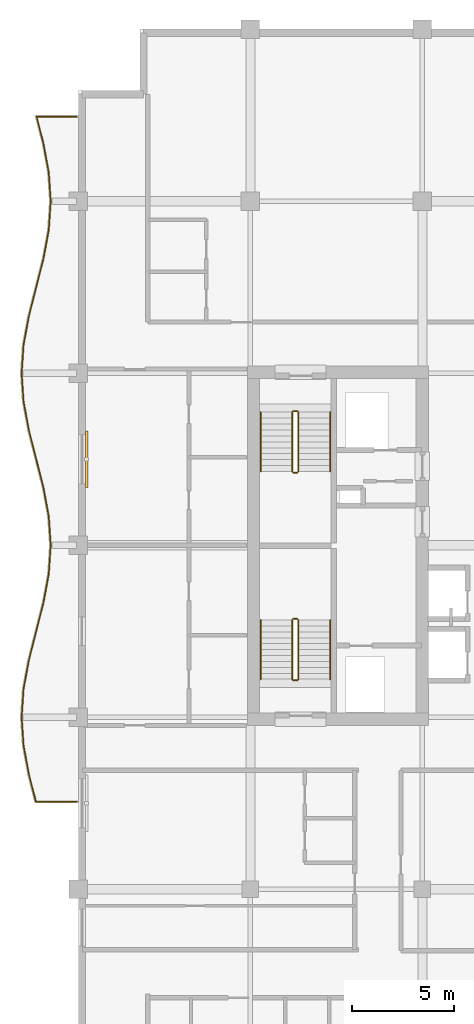
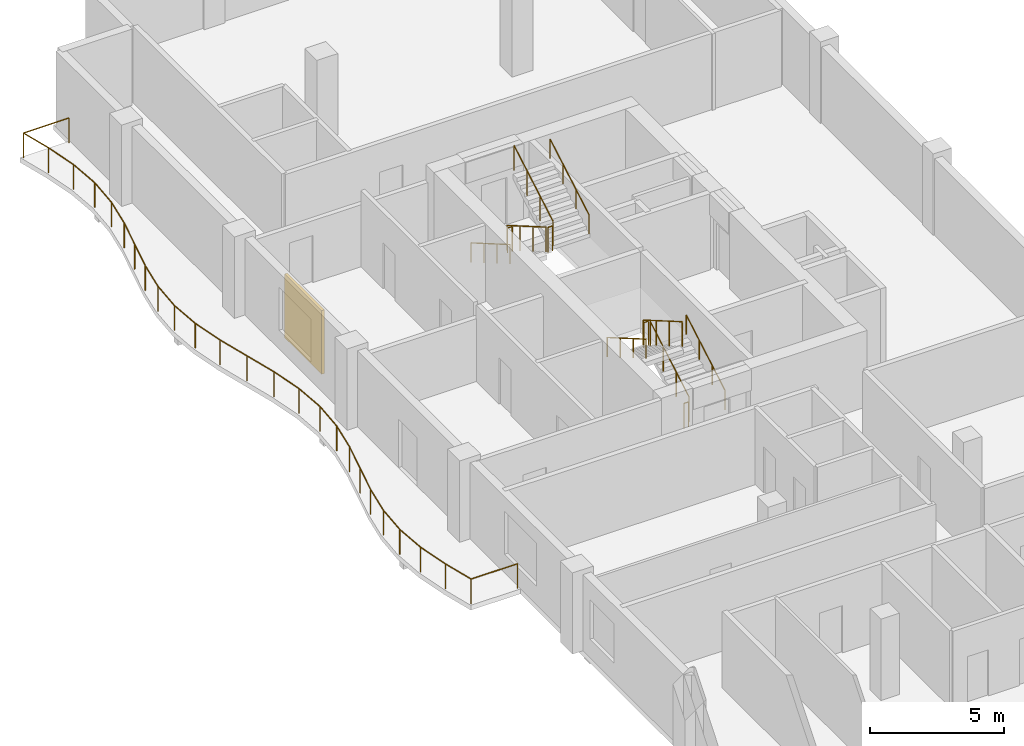
# One storey, part 15 of 16: 13 railings, 1 shading device.
"""IFC4 building model written with IfcOpenShell, lengths in metres."""

from ifc_helpers import new_model, si_unit, direction, frame, origin, origin_2d, place, context, subcontext, project, spatial, rectangle, circle, extrude, material, layer, layer_set, type_object, element, save


model = new_model("IFC4")

# Units and contexts
model_context = context("Model", 3, precision=1e-05, world=origin(), true_north=direction((0.0, 1.0)))
body_context = subcontext(model_context, "Body", "Model", "MODEL_VIEW")
ifc_project = project(units=[si_unit("LENGTHUNIT", "METRE"), si_unit("AREAUNIT", "SQUARE_METRE"), si_unit("VOLUMEUNIT", "CUBIC_METRE"), si_unit("PLANEANGLEUNIT", "RADIAN"), si_unit("MASSUNIT", "GRAM", prefix="KILO")], contexts=[model_context])

# Site, building, storey
site_placement = place(None, origin())
site = spatial("IfcSite", under=ifc_project, at=site_placement, CompositionType="ELEMENT")
building_placement = place(site_placement, origin())
building = spatial("IfcBuilding", under=site, at=building_placement, Name="Koriwani Terraces Tower", CompositionType="ELEMENT")
storey_placement = place(building_placement, frame((0.0, 0.0, 245.300048828125)))
storey = spatial("IfcBuildingStorey", under=building, at=storey_placement, Name="L60", CompositionType="ELEMENT", Elevation=245.300048828125)

# Railings
ifc_material_1 = material(Name="Steel ASTM A572 Grade 50", Category="steel")
railing_type_1 = type_object("IfcRailingType", Name="GUARD_BALUSTRADE_1150", PredefinedType="BALUSTRADE", material=ifc_material_1)
railing_1_placement = place(storey_placement, frame((8.320068359375, 37.8798828125, 0.0)))
element("IfcRailing", 1, at=railing_1_placement, inside=storey, type_object=railing_type_1, Name="L60 Balcony Perimeter Safety Balustrade (W)", PredefinedType="BALUSTRADE", context=body_context, shape_type="SweptSolid", body=[
    extrude(circle(Radius=0.02392578125, at=origin_2d()), frame((0.0, 0.0, 1.1259765625), z_axis=(-1.0, 0.0, 0.0), x_axis=(0.0, -1.0, 0.0)), (0.0, 0.0, 1.0), 1.997802734375),
    extrude(circle(Radius=0.02392578125, at=origin_2d()), frame((-1.997802734375, 0.0, 1.1259765625), z_axis=(-0.245781795918, 0.969325182173, 0.0), x_axis=(-0.969325182173, -0.245781795918, 0.0)), (0.0, 0.0, 1.0), 1.379638671875),
    extrude(circle(Radius=0.02392578125, at=origin_2d()), frame((-2.3369140625, 1.33740234375, 1.1259765625), z_axis=(-0.182508895706, 0.98320420208, 0.0), x_axis=(-0.98320420208, -0.182508895706, 0.0)), (0.0, 0.0, 1.0), 1.41650390625),
    extrude(circle(Radius=0.02392578125, at=origin_2d()), frame((-2.595458984375, 2.730224609375, 1.1259765625), z_axis=(-0.067821696155, 0.997697457915, 0.0), x_axis=(-0.997697457915, -0.067821696155, 0.0)), (0.0, 0.0, 1.0), 1.39306640625),
    extrude(circle(Radius=0.02392578125, at=origin_2d()), frame((-2.68994140625, 4.1201171875, 1.1259765625), z_axis=(0.067821696155, 0.997697457915, 0.0), x_axis=(-0.997697457915, 0.067821696155, 0.0)), (0.0, 0.0, 1.0), 1.39306640625),
    extrude(circle(Radius=0.02392578125, at=origin_2d()), frame((-2.595458984375, 5.510009765625, 1.1259765625), z_axis=(0.182508895706, 0.98320420208, 0.0), x_axis=(-0.98320420208, 0.182508895706, 0.0)), (0.0, 0.0, 1.0), 1.41650390625),
    extrude(circle(Radius=0.02392578125, at=origin_2d()), frame((-2.3369140625, 6.90283203125, 1.1259765625), z_axis=(0.245755617389, 0.969331819617, 0.0), x_axis=(-0.969331819617, 0.245755617389, 0.0)), (0.0, 0.0, 1.0), 2.888916015625),
    extrude(circle(Radius=0.02392578125, at=origin_2d()), frame((-1.626953125, 9.703125, 1.1259765625), z_axis=(0.182382502828, 0.983227655562, 0.0), x_axis=(-0.983227655562, 0.182382502828, 0.0)), (0.0, 0.0, 1.0), 1.430908203125),
    extrude(circle(Radius=0.02392578125, at=origin_2d()), frame((-1.365966796875, 11.110107421875, 1.1259765625), z_axis=(0.067722949425, 0.997704165633, 0.0), x_axis=(-0.997704165633, 0.067722949425, 0.0)), (0.0, 0.0, 1.0), 1.4130859375),
    extrude(circle(Radius=0.02392578125, at=origin_2d()), frame((-1.270263671875, 12.52001953125, 1.1259765625), z_axis=(-0.067711278299, 0.997704957786, 0.0), x_axis=(-0.997704957786, -0.067711278299, 0.0)), (0.0, 0.0, 1.0), 1.413330078125),
    extrude(circle(Radius=0.02392578125, at=origin_2d()), frame((-1.365966796875, 13.93017578125, 1.1259765625), z_axis=(-0.182382502828, 0.983227655562, 0.0), x_axis=(-0.983227655562, -0.182382502828, 0.0)), (0.0, 0.0, 1.0), 1.430908203125),
    extrude(circle(Radius=0.02392578125, at=origin_2d()), frame((-1.626953125, 15.337158203125, 1.1259765625), z_axis=(-0.245775750895, 0.969326714928, 0.0), x_axis=(-0.969326714928, -0.245775750895, 0.0)), (0.0, 0.0, 1.0), 2.888671875),
    extrude(circle(Radius=0.02392578125, at=origin_2d()), frame((-2.3369140625, 18.13720703125, 1.1259765625), z_axis=(-0.182508895706, 0.98320420208, 0.0), x_axis=(-0.98320420208, -0.182508895706, 0.0)), (0.0, 0.0, 1.0), 1.41650390625),
    extrude(circle(Radius=0.02392578125, at=origin_2d()), frame((-2.595458984375, 19.530029296875, 1.1259765625), z_axis=(-0.067809839848, 0.997698263815, 0.0), x_axis=(-0.997698263815, -0.067809839848, 0.0)), (0.0, 0.0, 1.0), 1.393310546875),
    extrude(circle(Radius=0.02392578125, at=origin_2d()), frame((-2.68994140625, 20.920166015625, 1.1259765625), z_axis=(0.067821696155, 0.997697457915, 0.0), x_axis=(-0.997697457915, 0.067821696155, 0.0)), (0.0, 0.0, 1.0), 1.39306640625),
    extrude(circle(Radius=0.02392578125, at=origin_2d()), frame((-2.595458984375, 22.31005859375, 1.1259765625), z_axis=(0.182508895706, 0.98320420208, 0.0), x_axis=(-0.98320420208, 0.182508895706, 0.0)), (0.0, 0.0, 1.0), 1.41650390625),
    extrude(circle(Radius=0.02392578125, at=origin_2d()), frame((-2.3369140625, 23.702880859375, 1.1259765625), z_axis=(0.245775750895, 0.969326714928, 0.0), x_axis=(-0.969326714928, 0.245775750895, 0.0)), (0.0, 0.0, 1.0), 2.888671875),
    extrude(circle(Radius=0.02392578125, at=origin_2d()), frame((-1.626953125, 26.5029296875, 1.1259765625), z_axis=(0.182351913416, 0.983233329212, 0.0), x_axis=(-0.983233329212, 0.182351913416, 0.0)), (0.0, 0.0, 1.0), 1.43115234375),
    extrude(circle(Radius=0.02392578125, at=origin_2d()), frame((-1.365966796875, 27.91015625, 1.1259765625), z_axis=(0.067722949425, 0.997704165633, 0.0), x_axis=(-0.997704165633, 0.067722949425, 0.0)), (0.0, 0.0, 1.0), 1.4130859375),
    extrude(circle(Radius=0.02392578125, at=origin_2d()), frame((-1.270263671875, 29.320068359375, 1.1259765625), z_axis=(-0.067711278299, 0.997704957786, 0.0), x_axis=(-0.997704957786, -0.067711278299, 0.0)), (0.0, 0.0, 1.0), 1.413330078125),
    extrude(circle(Radius=0.02392578125, at=origin_2d()), frame((-1.365966796875, 30.730224609375, 1.1259765625), z_axis=(-0.182382502828, 0.983227655562, 0.0), x_axis=(-0.983227655562, -0.182382502828, 0.0)), (0.0, 0.0, 1.0), 1.430908203125),
    extrude(circle(Radius=0.02392578125, at=origin_2d()), frame((-1.626953125, 32.13720703125, 1.1259765625), z_axis=(-0.245739459323, 0.969335916043, 0.0), x_axis=(-0.969335916043, -0.245739459323, 0.0)), (0.0, 0.0, 1.0), 1.34423828125),
    extrude(circle(Radius=0.02392578125, at=origin_2d()), frame((-1.957275390625, 33.440185546875, 1.1259765625), z_axis=(1.0, 0.0, 0.0), x_axis=(0.0, 1.0, 0.0)), (0.0, 0.0, 1.0), 1.957275390625),
    extrude(circle(Radius=0.02099609375, at=origin_2d()), origin(), (0.0, 0.0, 1.0), 1.101806640625),
    extrude(circle(Radius=0.02099609375, at=origin_2d()), frame((-1.997802734375, 0.0, 0.0)), (0.0, 0.0, 1.0), 1.101806640625),
    extrude(circle(Radius=0.02099609375, at=origin_2d()), frame((-2.3369140625, 1.33740234375, 0.0)), (0.0, 0.0, 1.0), 1.101806640625),
    extrude(circle(Radius=0.02099609375, at=origin_2d()), frame((-2.595458984375, 2.730224609375, 0.0)), (0.0, 0.0, 1.0), 1.101806640625),
    extrude(circle(Radius=0.02099609375, at=origin_2d()), frame((-2.68994140625, 4.1201171875, 0.0)), (0.0, 0.0, 1.0), 1.101806640625),
    extrude(circle(Radius=0.02099609375, at=origin_2d()), frame((-2.595458984375, 5.510009765625, 0.0)), (0.0, 0.0, 1.0), 1.101806640625),
    extrude(circle(Radius=0.02099609375, at=origin_2d()), frame((-2.3369140625, 6.90283203125, 0.0)), (0.0, 0.0, 1.0), 1.101806640625),
    extrude(circle(Radius=0.02099609375, at=origin_2d()), frame((-1.98193359375, 8.302978515625, 0.0)), (0.0, 0.0, 1.0), 1.101806640625),
    extrude(circle(Radius=0.02099609375, at=origin_2d()), frame((-1.626953125, 9.703125, 0.0)), (0.0, 0.0, 1.0), 1.101806640625),
    extrude(circle(Radius=0.02099609375, at=origin_2d()), frame((-1.365966796875, 11.110107421875, 0.0)), (0.0, 0.0, 1.0), 1.101806640625),
    extrude(circle(Radius=0.02099609375, at=origin_2d()), frame((-1.270263671875, 12.52001953125, 0.0)), (0.0, 0.0, 1.0), 1.101806640625),
    extrude(circle(Radius=0.02099609375, at=origin_2d()), frame((-1.365966796875, 13.93017578125, 0.0)), (0.0, 0.0, 1.0), 1.101806640625),
    extrude(circle(Radius=0.02099609375, at=origin_2d()), frame((-1.626953125, 15.337158203125, 0.0)), (0.0, 0.0, 1.0), 1.101806640625),
    extrude(circle(Radius=0.02099609375, at=origin_2d()), frame((-1.98193359375, 16.7373046875, 0.0)), (0.0, 0.0, 1.0), 1.101806640625),
    extrude(circle(Radius=0.02099609375, at=origin_2d()), frame((-2.3369140625, 18.13720703125, 0.0)), (0.0, 0.0, 1.0), 1.101806640625),
    extrude(circle(Radius=0.02099609375, at=origin_2d()), frame((-2.595458984375, 19.530029296875, 0.0)), (0.0, 0.0, 1.0), 1.101806640625),
    extrude(circle(Radius=0.02099609375, at=origin_2d()), frame((-2.68994140625, 20.920166015625, 0.0)), (0.0, 0.0, 1.0), 1.101806640625),
    extrude(circle(Radius=0.02099609375, at=origin_2d()), frame((-2.595458984375, 22.31005859375, 0.0)), (0.0, 0.0, 1.0), 1.101806640625),
    extrude(circle(Radius=0.02099609375, at=origin_2d()), frame((-2.3369140625, 23.702880859375, 0.0)), (0.0, 0.0, 1.0), 1.101806640625),
    extrude(circle(Radius=0.02099609375, at=origin_2d()), frame((-1.98193359375, 25.10302734375, 0.0)), (0.0, 0.0, 1.0), 1.101806640625),
    extrude(circle(Radius=0.02099609375, at=origin_2d()), frame((-1.626953125, 26.5029296875, 0.0)), (0.0, 0.0, 1.0), 1.101806640625),
    extrude(circle(Radius=0.02099609375, at=origin_2d()), frame((-1.365966796875, 27.91015625, 0.0)), (0.0, 0.0, 1.0), 1.101806640625),
    extrude(circle(Radius=0.02099609375, at=origin_2d()), frame((-1.270263671875, 29.320068359375, 0.0)), (0.0, 0.0, 1.0), 1.101806640625),
    extrude(circle(Radius=0.02099609375, at=origin_2d()), frame((-1.365966796875, 30.730224609375, 0.0)), (0.0, 0.0, 1.0), 1.101806640625),
    extrude(circle(Radius=0.02099609375, at=origin_2d()), frame((-1.626953125, 32.13720703125, 0.0)), (0.0, 0.0, 1.0), 1.101806640625),
    extrude(circle(Radius=0.02099609375, at=origin_2d()), frame((-1.957275390625, 33.440185546875, 0.0)), (0.0, 0.0, 1.0), 1.101806640625),
    extrude(circle(Radius=0.02099609375, at=origin_2d()), frame((0.0, 33.440185546875, 0.0)), (0.0, 0.0, 1.0), 1.101806640625),
])
railing_type_2 = type_object("IfcRailingType", Name="GUARD_STAIR_WELL_1120", PredefinedType="GUARDRAIL", material=ifc_material_1)
railing_2_placement = place(storey_placement, frame((19.14990234375, 43.85009765625, 0.168212890625)))
element("IfcRailing", 2, at=railing_2_placement, inside=storey, type_object=railing_type_2, Name="L60 ST-W1 stair guard 1", PredefinedType="GUARDRAIL", context=body_context, shape_type="SweptSolid", body=[
    extrude(circle(Radius=0.02392578125, at=origin_2d()), frame((0.0, 0.0, 1.1259765625), z_axis=(0.0, 0.86507038078, 0.501650512107), x_axis=(-1.0, 0.0, 0.0)), (0.0, 0.0, 1.0), 3.352294921875),
    extrude(circle(Radius=0.02099609375, at=origin_2d()), origin(), (0.0, 0.0, 1.0), 1.101806640625),
    extrude(circle(Radius=0.02099609375, at=origin_2d()), frame((0.0, 0.966552734375, 0.560546875)), (0.0, 0.0, 1.0), 1.101806640625),
    extrude(circle(Radius=0.02099609375, at=origin_2d()), frame((0.0, 1.933349609375, 1.12109375)), (0.0, 0.0, 1.0), 1.101806640625),
    extrude(circle(Radius=0.02099609375, at=origin_2d()), frame((0.0, 2.89990234375, 1.681640625)), (0.0, 0.0, 1.0), 1.101806640625),
])
railing_3_placement = place(storey_placement, frame((19.10009765625, 46.800048828125, 1.849853515625)))
element("IfcRailing", 3, at=railing_3_placement, inside=storey, type_object=railing_type_2, Name="L60 ST-W1 stair guard 2", PredefinedType="GUARDRAIL", context=body_context, shape_type="SweptSolid", body=[
    extrude(circle(Radius=0.02392578125, at=origin_2d()), frame((0.0, 0.0, 1.1259765625), z_axis=(-1.0, 0.0, 0.0), x_axis=(0.0, -1.0, 0.0)), (0.0, 0.0, 1.0), 0.2001953125),
    extrude(circle(Radius=0.02099609375, at=origin_2d()), origin(), (0.0, 0.0, 1.0), 1.101806640625),
    extrude(circle(Radius=0.02099609375, at=origin_2d()), frame((-0.2001953125, 0.0, 0.0)), (0.0, 0.0, 1.0), 1.101806640625),
])
railing_4_placement = place(storey_placement, frame((18.85009765625, 46.75, 2.01806640625)))
element("IfcRailing", 4, at=railing_4_placement, inside=storey, type_object=railing_type_2, Name="L60 ST-W1 stair guard 3", PredefinedType="GUARDRAIL", context=body_context, shape_type="SweptSolid", body=[
    extrude(circle(Radius=0.02392578125, at=origin_2d()), frame((0.0, 0.0, 1.1259765625), z_axis=(0.0, -0.865038774852, 0.501705010941), x_axis=(1.0, 0.0, 0.0)), (0.0, 0.0, 1.0), 3.352294921875),
    extrude(circle(Radius=0.02099609375, at=origin_2d()), origin(), (0.0, 0.0, 1.0), 1.101806640625),
    extrude(circle(Radius=0.02099609375, at=origin_2d()), frame((0.0, -0.966552734375, 0.560546875)), (0.0, 0.0, 1.0), 1.101806640625),
    extrude(circle(Radius=0.02099609375, at=origin_2d()), frame((0.0, -1.933349609375, 1.121337890625)), (0.0, 0.0, 1.0), 1.101806640625),
    extrude(circle(Radius=0.02099609375, at=origin_2d()), frame((0.0, -2.89990234375, 1.681884765625)), (0.0, 0.0, 1.0), 1.101806640625),
])
railing_5_placement = place(storey_placement, frame((19.10009765625, 43.800048828125, 0.0)))
element("IfcRailing", 5, at=railing_5_placement, inside=storey, type_object=railing_type_2, Name="L60 ST-W1 stair guard 4", PredefinedType="GUARDRAIL", context=body_context, shape_type="SweptSolid", body=[
    extrude(circle(Radius=0.02392578125, at=origin_2d()), frame((0.0, 0.0, 1.1259765625), z_axis=(-1.0, 0.0, 0.0), x_axis=(0.0, -1.0, 0.0)), (0.0, 0.0, 1.0), 0.2001953125),
    extrude(circle(Radius=0.02099609375, at=origin_2d()), origin(), (0.0, 0.0, 1.0), 1.101806640625),
    extrude(circle(Radius=0.02099609375, at=origin_2d()), frame((-0.2001953125, 0.0, 0.0)), (0.0, 0.0, 1.0), 1.101806640625),
])
railing_6_placement = place(storey_placement, frame((18.85009765625, 56.89990234375, 0.168212890625)))
element("IfcRailing", 6, at=railing_6_placement, inside=storey, type_object=railing_type_2, Name="L60 ST-W2 stair guard 1", PredefinedType="GUARDRAIL", context=body_context, shape_type="SweptSolid", body=[
    extrude(circle(Radius=0.02392578125, at=origin_2d()), frame((0.0, 0.0, 1.1259765625), z_axis=(0.0, -0.86507038078, 0.501650512107), x_axis=(1.0, 0.0, 0.0)), (0.0, 0.0, 1.0), 3.352294921875),
    extrude(circle(Radius=0.02099609375, at=origin_2d()), origin(), (0.0, 0.0, 1.0), 1.101806640625),
    extrude(circle(Radius=0.02099609375, at=origin_2d()), frame((0.0, -0.966552734375, 0.560546875)), (0.0, 0.0, 1.0), 1.101806640625),
    extrude(circle(Radius=0.02099609375, at=origin_2d()), frame((0.0, -1.933349609375, 1.12109375)), (0.0, 0.0, 1.0), 1.101806640625),
    extrude(circle(Radius=0.02099609375, at=origin_2d()), frame((0.0, -2.89990234375, 1.681640625)), (0.0, 0.0, 1.0), 1.101806640625),
])
railing_7_placement = place(storey_placement, frame((18.89990234375, 53.949951171875, 1.849853515625)))
element("IfcRailing", 7, at=railing_7_placement, inside=storey, type_object=railing_type_2, Name="L60 ST-W2 stair guard 2", PredefinedType="GUARDRAIL", context=body_context, shape_type="SweptSolid", body=[
    extrude(circle(Radius=0.02392578125, at=origin_2d()), frame((0.0, 0.0, 1.1259765625), z_axis=(1.0, 0.0, 0.0), x_axis=(0.0, 1.0, 0.0)), (0.0, 0.0, 1.0), 0.2001953125),
    extrude(circle(Radius=0.02099609375, at=origin_2d()), origin(), (0.0, 0.0, 1.0), 1.101806640625),
    extrude(circle(Radius=0.02099609375, at=origin_2d()), frame((0.2001953125, 0.0, 0.0)), (0.0, 0.0, 1.0), 1.101806640625),
])
railing_8_placement = place(storey_placement, frame((19.14990234375, 54.0, 2.01806640625)))
element("IfcRailing", 8, at=railing_8_placement, inside=storey, type_object=railing_type_2, Name="L60 ST-W2 stair guard 3", PredefinedType="GUARDRAIL", context=body_context, shape_type="SweptSolid", body=[
    extrude(circle(Radius=0.02392578125, at=origin_2d()), frame((0.0, 0.0, 1.1259765625), z_axis=(0.0, 0.865038774852, 0.501705010941), x_axis=(-1.0, 0.0, 0.0)), (0.0, 0.0, 1.0), 3.352294921875),
    extrude(circle(Radius=0.02099609375, at=origin_2d()), origin(), (0.0, 0.0, 1.0), 1.101806640625),
    extrude(circle(Radius=0.02099609375, at=origin_2d()), frame((0.0, 0.966552734375, 0.560546875)), (0.0, 0.0, 1.0), 1.101806640625),
    extrude(circle(Radius=0.02099609375, at=origin_2d()), frame((0.0, 1.933349609375, 1.121337890625)), (0.0, 0.0, 1.0), 1.101806640625),
    extrude(circle(Radius=0.02099609375, at=origin_2d()), frame((0.0, 2.89990234375, 1.681884765625)), (0.0, 0.0, 1.0), 1.101806640625),
])
railing_9_placement = place(storey_placement, frame((18.89990234375, 56.949951171875, 0.0)))
element("IfcRailing", 9, at=railing_9_placement, inside=storey, type_object=railing_type_2, Name="L60 ST-W2 stair guard 4", PredefinedType="GUARDRAIL", context=body_context, shape_type="SweptSolid", body=[
    extrude(circle(Radius=0.02392578125, at=origin_2d()), frame((0.0, 0.0, 1.1259765625), z_axis=(1.0, 0.0, 0.0), x_axis=(0.0, 1.0, 0.0)), (0.0, 0.0, 1.0), 0.2001953125),
    extrude(circle(Radius=0.02099609375, at=origin_2d()), origin(), (0.0, 0.0, 1.0), 1.101806640625),
    extrude(circle(Radius=0.02099609375, at=origin_2d()), frame((0.2001953125, 0.0, 0.0)), (0.0, 0.0, 1.0), 1.101806640625),
])
railing_type_3 = type_object("IfcRailingType", Name="HANDRAIL_STAIR_920", PredefinedType="HANDRAIL", material=ifc_material_1)
railing_10_placement = place(storey_placement, frame((20.699951171875, 43.85009765625, 0.168212890625)))
element("IfcRailing", 10, at=railing_10_placement, inside=storey, type_object=railing_type_3, Name="L60 ST-W1 stair handrail 1", PredefinedType="HANDRAIL", context=body_context, shape_type="SweptSolid", body=[
    extrude(circle(Radius=0.02392578125, at=origin_2d()), frame((0.0, 0.0, 0.8759765625), z_axis=(0.0, 0.86507038078, 0.501650512107), x_axis=(-1.0, 0.0, 0.0)), (0.0, 0.0, 1.0), 3.352294921875),
    extrude(circle(Radius=0.02099609375, at=origin_2d()), origin(), (0.0, 0.0, 1.0), 0.851806640625),
    extrude(circle(Radius=0.02099609375, at=origin_2d()), frame((0.0, 0.966552734375, 0.560546875)), (0.0, 0.0, 1.0), 0.851806640625),
    extrude(circle(Radius=0.02099609375, at=origin_2d()), frame((0.0, 1.933349609375, 1.12109375)), (0.0, 0.0, 1.0), 0.851806640625),
    extrude(circle(Radius=0.02099609375, at=origin_2d()), frame((0.0, 2.89990234375, 1.681640625)), (0.0, 0.0, 1.0), 0.851806640625),
])
railing_11_placement = place(storey_placement, frame((17.300048828125, 46.75, 2.01806640625)))
element("IfcRailing", 11, at=railing_11_placement, inside=storey, type_object=railing_type_3, Name="L60 ST-W1 stair handrail 2", PredefinedType="HANDRAIL", context=body_context, shape_type="SweptSolid", body=[
    extrude(circle(Radius=0.02392578125, at=origin_2d()), frame((0.0, 0.0, 0.8759765625), z_axis=(0.0, -0.865038774852, 0.501705010941), x_axis=(1.0, 0.0, 0.0)), (0.0, 0.0, 1.0), 3.352294921875),
    extrude(circle(Radius=0.02099609375, at=origin_2d()), origin(), (0.0, 0.0, 1.0), 0.851806640625),
    extrude(circle(Radius=0.02099609375, at=origin_2d()), frame((0.0, -0.966552734375, 0.560546875)), (0.0, 0.0, 1.0), 0.851806640625),
    extrude(circle(Radius=0.02099609375, at=origin_2d()), frame((0.0, -1.933349609375, 1.121337890625)), (0.0, 0.0, 1.0), 0.851806640625),
    extrude(circle(Radius=0.02099609375, at=origin_2d()), frame((0.0, -2.89990234375, 1.681884765625)), (0.0, 0.0, 1.0), 0.851806640625),
])
railing_12_placement = place(storey_placement, frame((17.300048828125, 56.89990234375, 0.168212890625)))
element("IfcRailing", 12, at=railing_12_placement, inside=storey, type_object=railing_type_3, Name="L60 ST-W2 stair handrail 1", PredefinedType="HANDRAIL", context=body_context, shape_type="SweptSolid", body=[
    extrude(circle(Radius=0.02392578125, at=origin_2d()), frame((0.0, 0.0, 0.8759765625), z_axis=(0.0, -0.86507038078, 0.501650512107), x_axis=(1.0, 0.0, 0.0)), (0.0, 0.0, 1.0), 3.352294921875),
    extrude(circle(Radius=0.02099609375, at=origin_2d()), origin(), (0.0, 0.0, 1.0), 0.851806640625),
    extrude(circle(Radius=0.02099609375, at=origin_2d()), frame((0.0, -0.966552734375, 0.560546875)), (0.0, 0.0, 1.0), 0.851806640625),
    extrude(circle(Radius=0.02099609375, at=origin_2d()), frame((0.0, -1.933349609375, 1.12109375)), (0.0, 0.0, 1.0), 0.851806640625),
    extrude(circle(Radius=0.02099609375, at=origin_2d()), frame((0.0, -2.89990234375, 1.681640625)), (0.0, 0.0, 1.0), 0.851806640625),
])
railing_13_placement = place(storey_placement, frame((20.699951171875, 54.0, 2.01806640625)))
element("IfcRailing", 13, at=railing_13_placement, inside=storey, type_object=railing_type_3, Name="L60 ST-W2 stair handrail 2", PredefinedType="HANDRAIL", context=body_context, shape_type="SweptSolid", body=[
    extrude(circle(Radius=0.02392578125, at=origin_2d()), frame((0.0, 0.0, 0.8759765625), z_axis=(0.0, 0.865038774852, 0.501705010941), x_axis=(-1.0, 0.0, 0.0)), (0.0, 0.0, 1.0), 3.352294921875),
    extrude(circle(Radius=0.02099609375, at=origin_2d()), origin(), (0.0, 0.0, 1.0), 0.851806640625),
    extrude(circle(Radius=0.02099609375, at=origin_2d()), frame((0.0, 0.966552734375, 0.560546875)), (0.0, 0.0, 1.0), 0.851806640625),
    extrude(circle(Radius=0.02099609375, at=origin_2d()), frame((0.0, 1.933349609375, 1.121337890625)), (0.0, 0.0, 1.0), 0.851806640625),
    extrude(circle(Radius=0.02099609375, at=origin_2d()), frame((0.0, 2.89990234375, 1.681884765625)), (0.0, 0.0, 1.0), 0.851806640625),
])

# Shading device
ifc_material_2 = material(Name="Extruded Terracotta Clay", Category="masonry")
ifc_layer = layer(ifc_material_2, 0.1201171875, Name="Extruded Terracotta Clay")
ifc_layer_set = layer_set([ifc_layer], Name="Extruded Terracotta Clay")
shading_device_type = type_object("IfcShadingDeviceType", Name="TERRACOTTA_BAGUETTE_SCREEN_2800", PredefinedType="USERDEFINED", material=ifc_layer_set)
shading_device_placement = place(storey_placement, frame((8.804931640625, 54.60009765625, 0.284912109375), z_axis=(0.0, 0.0, 1.0), x_axis=(0.0, 1.0, 0.0)))
element("IfcShadingDevice", 14, at=shading_device_placement, inside=storey, type_object=shading_device_type, Name="L60 Extruded Terracotta Baguette Screen (W-15)", ObjectType="BAGUETTE", PredefinedType="USERDEFINED", context=body_context, shape_type="SweptSolid", body=[
    extrude(rectangle(XDim=2.760009765625, YDim=0.1201171875, at=origin_2d()), origin(), (0.0, 0.0, 1.0), 2.89990234375),
])

save(model, "model.ifc")
